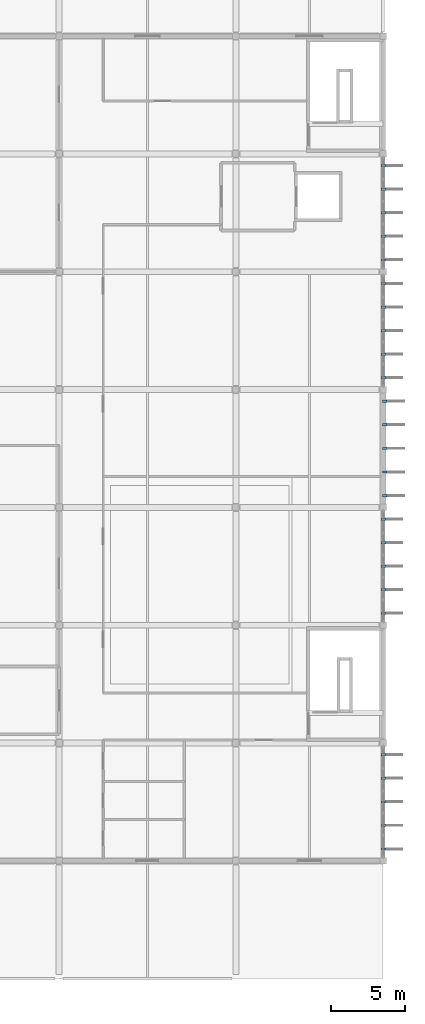
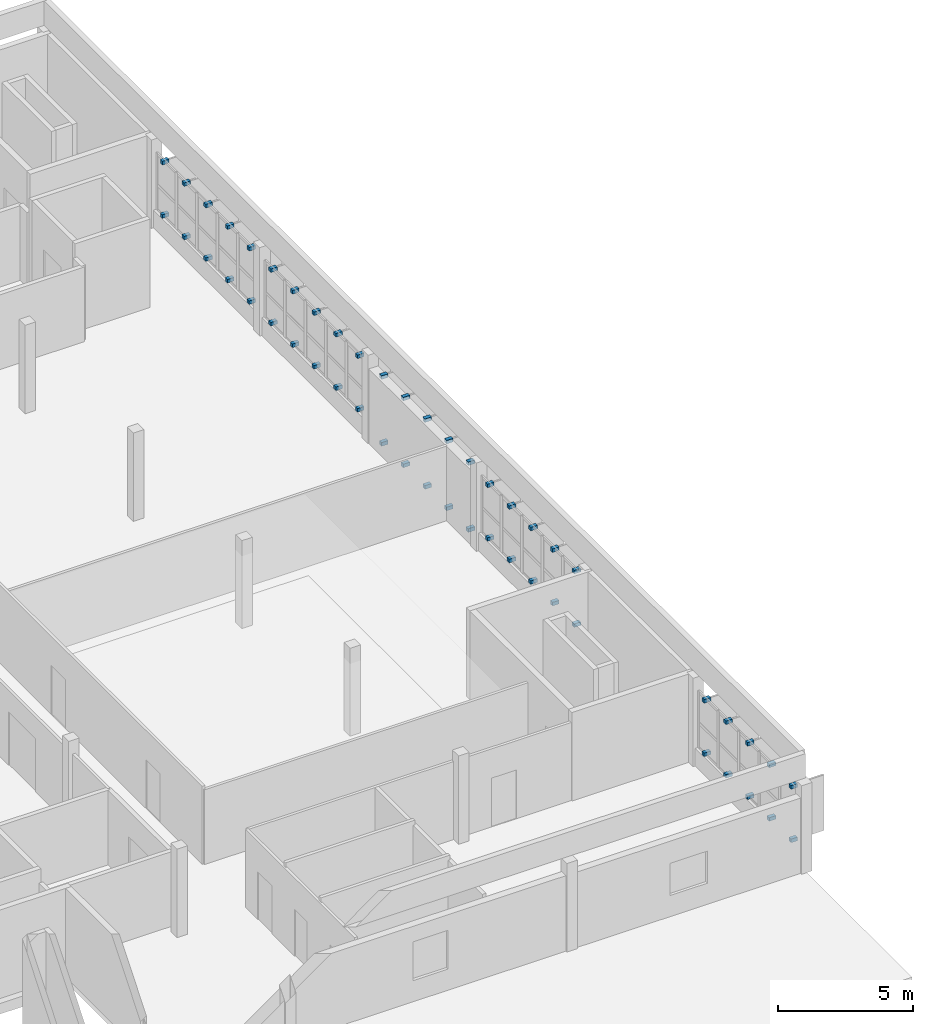
# One storey, part 11 of 12: 50 discrete accessories.
"""IFC4 building model written with IfcOpenShell, lengths in metres."""

from ifc_helpers import new_model, si_unit, direction, frame, origin, origin_2d, place, context, subcontext, project, spatial, rectangle, extrude, material, type_object, element, save


model = new_model("IFC4")

# Units and contexts
model_context = context("Model", 3, precision=1e-05, world=origin(), true_north=direction((0.0, 1.0)))
body_context = subcontext(model_context, "Body", "Model", "MODEL_VIEW")
ifc_project = project(units=[si_unit("LENGTHUNIT", "METRE"), si_unit("AREAUNIT", "SQUARE_METRE"), si_unit("VOLUMEUNIT", "CUBIC_METRE"), si_unit("PLANEANGLEUNIT", "RADIAN"), si_unit("MASSUNIT", "GRAM", prefix="KILO")], contexts=[model_context])

# Site, building, storey
site_placement = place(None, origin())
site = spatial("IfcSite", under=ifc_project, at=site_placement, CompositionType="ELEMENT")
building_placement = place(site_placement, origin())
building = spatial("IfcBuilding", under=site, at=building_placement, Name="Drelvana Railside Aquatics Centre", CompositionType="ELEMENT")
storey_placement = place(building_placement, frame((0.0, 0.0, 18.60009765625)))
storey = spatial("IfcBuildingStorey", under=building, at=storey_placement, Name="L04", CompositionType="ELEMENT", Elevation=18.60009765625)

# Discrete accessories
ifc_material = material(Name="Stainless steel 316 facade bracket", Category="steel")
discrete_accessory_type = type_object("IfcDiscreteAccessoryType", Name="ACC-BRACKET-FIN", PredefinedType="BRACKET", material=ifc_material)
for number, where, z_axis, x_axis, name in (
    (1, (184.010009765625, 24.800048828125, 0.81494140625), (0.0, 0.0, 1.0), (1.0, 0.0, 0.0), "Shading fin bracket BK-1405"),
    (2, (184.010009765625, 24.800048828125, 3.22509765625), (0.0, 0.0, 1.0), (1.0, 0.0, 0.0), "Shading fin bracket BK-1406"),
    (3, (184.010009765625, 26.39990234375, 0.81494140625), (0.0, 0.0, 1.0), (1.0, 0.0, 0.0), "Shading fin bracket BK-1407"),
    (4, (184.010009765625, 26.39990234375, 3.22509765625), (0.0, 0.0, 1.0), (1.0, 0.0, 0.0), "Shading fin bracket BK-1408"),
    (5, (184.010009765625, 28.0, 0.81494140625), (0.0, 0.0, 1.0), (1.0, 0.0, 0.0), "Shading fin bracket BK-1409"),
    (6, (184.010009765625, 28.0, 3.22509765625), (0.0, 0.0, 1.0), (1.0, 0.0, 0.0), "Shading fin bracket BK-1410"),
    (7, (184.010009765625, 29.60009765625, 0.81494140625), (0.0, 0.0, 1.0), (1.0, 0.0, 0.0), "Shading fin bracket BK-1411"),
    (8, (184.010009765625, 29.60009765625, 3.22509765625), (0.0, 0.0, 1.0), (1.0, 0.0, 0.0), "Shading fin bracket BK-1412"),
    (9, (184.010009765625, 31.199951171875, 0.81494140625), (0.0, 0.0, 1.0), (1.0, 0.0, 0.0), "Shading fin bracket BK-1413"),
    (10, (184.010009765625, 31.199951171875, 3.22509765625), (0.0, 0.0, 1.0), (1.0, 0.0, 0.0), "Shading fin bracket BK-1414"),
    (11, (184.010009765625, 40.800048828125, 0.81494140625), (0.0, 0.0, 1.0), (1.0, 0.0, 0.0), "Shading fin bracket BK-1455"),
    (12, (184.010009765625, 40.800048828125, 3.22509765625), (0.0, 0.0, 1.0), (1.0, 0.0, 0.0), "Shading fin bracket BK-1456"),
    (13, (184.010009765625, 42.39990234375, 0.81494140625), (0.0, 0.0, 1.0), (1.0, 0.0, 0.0), "Shading fin bracket BK-1457"),
    (14, (184.010009765625, 42.39990234375, 3.22509765625), (0.0, 0.0, 1.0), (1.0, 0.0, 0.0), "Shading fin bracket BK-1458"),
    (15, (184.010009765625, 44.0, 0.81494140625), (0.0, 0.0, 1.0), (1.0, 0.0, 0.0), "Shading fin bracket BK-1459"),
    (16, (184.010009765625, 44.0, 3.22509765625), (0.0, 0.0, 1.0), (1.0, 0.0, 0.0), "Shading fin bracket BK-1460"),
    (17, (184.010009765625, 45.60009765625, 0.81494140625), (0.0, 0.0, 1.0), (1.0, 0.0, 0.0), "Shading fin bracket BK-1461"),
    (18, (184.010009765625, 45.60009765625, 3.22509765625), (0.0, 0.0, 1.0), (1.0, 0.0, 0.0), "Shading fin bracket BK-1462"),
    (19, (184.010009765625, 47.199951171875, 0.81494140625), (0.0, 0.0, 1.0), (1.0, 0.0, 0.0), "Shading fin bracket BK-1463"),
    (20, (184.010009765625, 47.199951171875, 3.22509765625), (0.0, 0.0, 1.0), (1.0, 0.0, 0.0), "Shading fin bracket BK-1464"),
    (21, (184.114990234375, 48.800048828125, 0.21484375), (0.0, 0.0, 1.0), (1.0, 0.0, 0.0), "Shading fin bracket BK-1505"),
    (22, (184.114990234375, 48.800048828125, 3.22509765625), (0.0, 0.0, 1.0), (1.0, 0.0, 0.0), "Shading fin bracket BK-1506"),
    (23, (184.114990234375, 50.39990234375, 0.21484375), (0.0, 0.0, 1.0), (1.0, 0.0, 0.0), "Shading fin bracket BK-1507"),
    (24, (184.114990234375, 50.39990234375, 3.22509765625), (0.0, 0.0, 1.0), (1.0, 0.0, 0.0), "Shading fin bracket BK-1508"),
    (25, (184.114990234375, 52.0, 0.21484375), (0.0, 0.0, 1.0), (1.0, 0.0, 0.0), "Shading fin bracket BK-1509"),
    (26, (184.114990234375, 52.0, 3.22509765625), (0.0, 0.0, 1.0), (1.0, 0.0, 0.0), "Shading fin bracket BK-1510"),
    (27, (184.114990234375, 53.60009765625, 0.21484375), (0.0, 0.0, 1.0), (1.0, 0.0, 0.0), "Shading fin bracket BK-1511"),
    (28, (184.114990234375, 53.60009765625, 3.22509765625), (0.0, 0.0, 1.0), (1.0, 0.0, 0.0), "Shading fin bracket BK-1512"),
    (29, (184.114990234375, 55.199951171875, 0.21484375), (0.0, 0.0, 1.0), (1.0, 0.0, 0.0), "Shading fin bracket BK-1513"),
    (30, (184.114990234375, 55.199951171875, 3.22509765625), (0.0, 0.0, 1.0), (1.0, 0.0, 0.0), "Shading fin bracket BK-1514"),
    (31, (184.010009765625, 56.800048828125, 0.81494140625), (0.0, 0.0, 1.0), (1.0, 0.0, 0.0), "Shading fin bracket BK-1555"),
    (32, (184.010009765625, 56.800048828125, 3.22509765625), (0.0, 0.0, 1.0), (1.0, 0.0, 0.0), "Shading fin bracket BK-1556"),
    (33, (184.010009765625, 58.39990234375, 0.81494140625), (0.0, 0.0, 1.0), (1.0, 0.0, 0.0), "Shading fin bracket BK-1557"),
    (34, (184.010009765625, 58.39990234375, 3.22509765625), (0.0, 0.0, 1.0), (1.0, 0.0, 0.0), "Shading fin bracket BK-1558"),
    (35, (184.010009765625, 60.0, 0.81494140625), (0.0, 0.0, 1.0), (1.0, 0.0, 0.0), "Shading fin bracket BK-1559"),
    (36, (184.010009765625, 60.0, 3.22509765625), (0.0, 0.0, 1.0), (1.0, 0.0, 0.0), "Shading fin bracket BK-1560"),
    (37, (184.010009765625, 61.60009765625, 0.81494140625), (0.0, 0.0, 1.0), (1.0, 0.0, 0.0), "Shading fin bracket BK-1561"),
    (38, (184.010009765625, 61.60009765625, 3.22509765625), (0.0, 0.0, 1.0), (1.0, 0.0, 0.0), "Shading fin bracket BK-1562"),
    (39, (184.010009765625, 63.199951171875, 0.81494140625), (0.0, 0.0, 1.0), (1.0, 0.0, 0.0), "Shading fin bracket BK-1563"),
    (40, (184.010009765625, 63.199951171875, 3.22509765625), (0.0, 0.0, 1.0), (1.0, 0.0, 0.0), "Shading fin bracket BK-1564"),
    (41, (184.010009765625, 64.800048828125, 0.81494140625), (0.0, 0.0, 1.0), (1.0, 0.0, 0.0), "Shading fin bracket BK-1605"),
    (42, (184.010009765625, 64.800048828125, 3.22509765625), (0.0, 0.0, 1.0), (1.0, 0.0, 0.0), "Shading fin bracket BK-1606"),
    (43, (184.010009765625, 66.39990234375, 0.81494140625), (0.0, 0.0, 1.0), (1.0, 0.0, 0.0), "Shading fin bracket BK-1607"),
    (44, (184.010009765625, 66.39990234375, 3.22509765625), (0.0, 0.0, 1.0), (1.0, 0.0, 0.0), "Shading fin bracket BK-1608"),
    (45, (184.010009765625, 68.0, 0.81494140625), (0.0, 0.0, 1.0), (1.0, 0.0, 0.0), "Shading fin bracket BK-1609"),
    (46, (184.010009765625, 68.0, 3.22509765625), (0.0, 0.0, 1.0), (1.0, 0.0, 0.0), "Shading fin bracket BK-1610"),
    (47, (184.010009765625, 69.60009765625, 0.81494140625), (0.0, 0.0, 1.0), (1.0, 0.0, 0.0), "Shading fin bracket BK-1611"),
    (48, (184.010009765625, 69.60009765625, 3.22509765625), (0.0, 0.0, 1.0), (1.0, 0.0, 0.0), "Shading fin bracket BK-1612"),
    (49, (184.010009765625, 71.199951171875, 0.81494140625), (0.0, 0.0, 1.0), (1.0, 0.0, 0.0), "Shading fin bracket BK-1613"),
    (50, (184.010009765625, 71.199951171875, 3.22509765625), (0.0, 0.0, 1.0), (1.0, 0.0, 0.0), "Shading fin bracket BK-1614"),
):
    element("IfcDiscreteAccessory", number, at=place(storey_placement, frame(where, z_axis=z_axis, x_axis=x_axis)), inside=storey, type_object=discrete_accessory_type, Name=name, PredefinedType="BRACKET", context=body_context, shape_type="SweptSolid", body=[
        extrude(rectangle(XDim=0.280029296875, YDim=0.159912109375, at=origin_2d()), origin(), (0.0, 0.0, 1.0), 0.159912109375),
    ])

save(model, "model.ifc")
